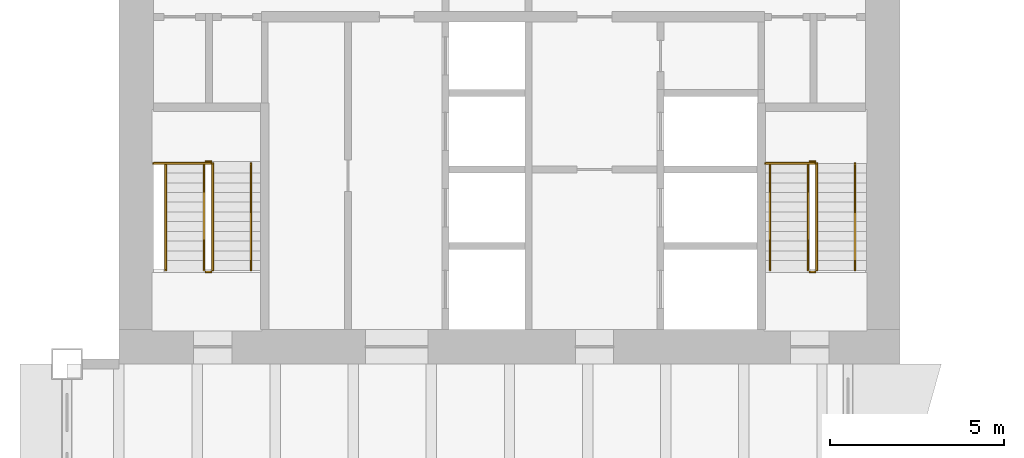
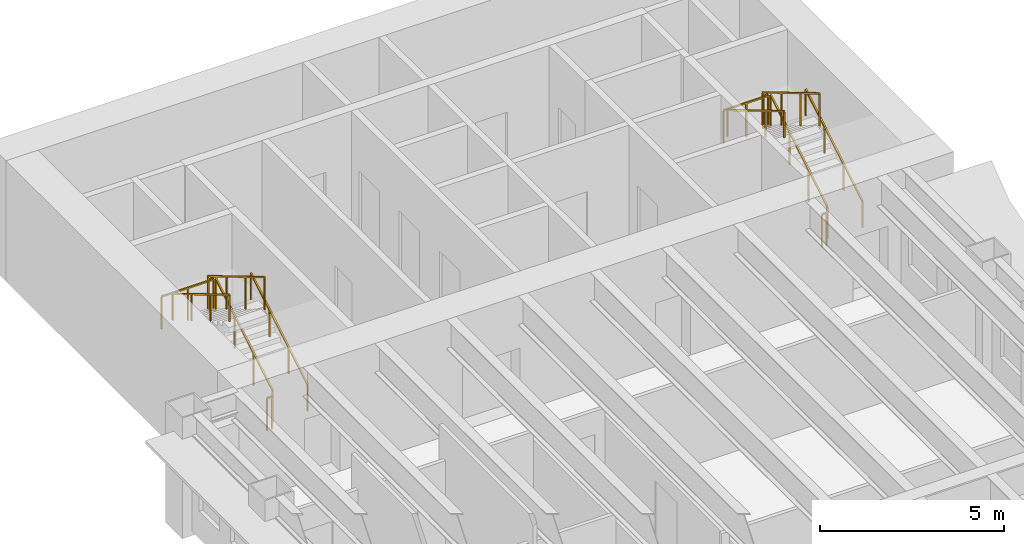
# One storey, part 16 of 16: 14 railings.
"""IFC4 building model written with IfcOpenShell, lengths in metres."""

from ifc_helpers import new_model, si_unit, direction, frame, origin, origin_2d, place, context, subcontext, project, spatial, rectangle, extrude, material, type_object, element, save


model = new_model("IFC4")

# Units and contexts
model_context = context("Model", 3, precision=1e-05, world=origin(), true_north=direction((0.0, 1.0)))
body_context = subcontext(model_context, "Body", "Model", "MODEL_VIEW")
ifc_project = project(units=[si_unit("LENGTHUNIT", "METRE"), si_unit("AREAUNIT", "SQUARE_METRE"), si_unit("VOLUMEUNIT", "CUBIC_METRE"), si_unit("PLANEANGLEUNIT", "RADIAN"), si_unit("MASSUNIT", "GRAM", prefix="KILO")], contexts=[model_context])

# Site, building, storey
site_placement = place(None, origin())
site = spatial("IfcSite", under=ifc_project, at=site_placement, CompositionType="ELEMENT")
building_placement = place(site_placement, origin())
building = spatial("IfcBuilding", under=site, at=building_placement, Name="Sennacour Bend Tower", CompositionType="ELEMENT")
storey_placement = place(building_placement, frame((0.0, 0.0, 171.0)))
storey = spatial("IfcBuildingStorey", under=building, at=storey_placement, Name="L39", CompositionType="ELEMENT", Elevation=171.0)

# Railings
ifc_material = material(Name="Stainless steel", Category="steel")
railing_type_1 = type_object("IfcRailingType", Name="RL-GUARD-1100", PredefinedType="GUARDRAIL", material=ifc_material)
railing_1_placement = place(storey_placement, frame((2.699951171875, 38.699951171875, 0.166748046875)))
element("IfcRailing", 1, at=railing_1_placement, inside=storey, type_object=railing_type_1, Name="L39 SB1 stair guard 1", PredefinedType="GUARDRAIL", context=body_context, shape_type="SweptSolid", body=[
    extrude(rectangle(XDim=0.048095703125, YDim=0.048095703125, at=origin_2d()), frame((0.0, 0.0, 1.076171875), z_axis=(0.0, 0.859308565015, 0.511457515432), x_axis=(-1.0, 0.0, 0.0)), (0.0, 0.0, 1.0), 3.58447265625),
    extrude(rectangle(XDim=0.0419921875, YDim=0.0419921875, at=origin_2d()), origin(), (0.0, 0.0, 1.0), 1.052001953125),
    extrude(rectangle(XDim=0.0419921875, YDim=0.0419921875, at=origin_2d()), frame((0.0, 1.026611328125, 0.611083984375)), (0.0, 0.0, 1.0), 1.052001953125),
    extrude(rectangle(XDim=0.0419921875, YDim=0.0419921875, at=origin_2d()), frame((0.0, 2.053466796875, 1.22216796875)), (0.0, 0.0, 1.0), 1.052001953125),
    extrude(rectangle(XDim=0.0419921875, YDim=0.0419921875, at=origin_2d()), frame((0.0, 3.080078125, 1.833251953125)), (0.0, 0.0, 1.0), 1.052001953125),
])
railing_2_placement = place(storey_placement, frame((2.64990234375, 41.830078125, 2.0)))
element("IfcRailing", 2, at=railing_2_placement, inside=storey, type_object=railing_type_1, Name="L39 SB1 stair guard 2", PredefinedType="GUARDRAIL", context=body_context, shape_type="SweptSolid", body=[
    extrude(rectangle(XDim=0.048095703125, YDim=0.048095703125, at=origin_2d()), frame((0.0, 0.0, 1.076171875), z_axis=(-1.0, 0.0, 0.0), x_axis=(0.0, -1.0, 0.0)), (0.0, 0.0, 1.0), 0.14990234375),
    extrude(rectangle(XDim=0.0419921875, YDim=0.0419921875, at=origin_2d()), origin(), (0.0, 0.0, 1.0), 1.052001953125),
    extrude(rectangle(XDim=0.0419921875, YDim=0.0419921875, at=origin_2d()), frame((-0.14990234375, 0.0, 0.0)), (0.0, 0.0, 1.0), 1.052001953125),
])
railing_3_placement = place(storey_placement, frame((2.449951171875, 41.780029296875, 2.166748046875)))
element("IfcRailing", 3, at=railing_3_placement, inside=storey, type_object=railing_type_1, Name="L39 SB1 stair guard 4", PredefinedType="GUARDRAIL", context=body_context, shape_type="SweptSolid", body=[
    extrude(rectangle(XDim=0.048095703125, YDim=0.048095703125, at=origin_2d()), frame((0.0, 0.0, 1.076171875), z_axis=(0.0, -0.859308565015, 0.511457515432), x_axis=(1.0, 0.0, 0.0)), (0.0, 0.0, 1.0), 3.58447265625),
    extrude(rectangle(XDim=0.0419921875, YDim=0.0419921875, at=origin_2d()), origin(), (0.0, 0.0, 1.0), 1.052001953125),
    extrude(rectangle(XDim=0.0419921875, YDim=0.0419921875, at=origin_2d()), frame((0.0, -1.026611328125, 0.611083984375)), (0.0, 0.0, 1.0), 1.052001953125),
    extrude(rectangle(XDim=0.0419921875, YDim=0.0419921875, at=origin_2d()), frame((0.0, -2.053466796875, 1.22216796875)), (0.0, 0.0, 1.0), 1.052001953125),
    extrude(rectangle(XDim=0.0419921875, YDim=0.0419921875, at=origin_2d()), frame((0.0, -3.080078125, 1.833251953125)), (0.0, 0.0, 1.0), 1.052001953125),
])
railing_4_placement = place(storey_placement, frame((2.64990234375, 38.64990234375, 0.0)))
element("IfcRailing", 4, at=railing_4_placement, inside=storey, type_object=railing_type_1, Name="L39 SB1 stair guard 5", PredefinedType="GUARDRAIL", context=body_context, shape_type="SweptSolid", body=[
    extrude(rectangle(XDim=0.048095703125, YDim=0.048095703125, at=origin_2d()), frame((0.0, 0.0, 1.076171875), z_axis=(-1.0, 0.0, 0.0), x_axis=(0.0, -1.0, 0.0)), (0.0, 0.0, 1.0), 0.14990234375),
    extrude(rectangle(XDim=0.0419921875, YDim=0.0419921875, at=origin_2d()), origin(), (0.0, 0.0, 1.0), 1.052001953125),
    extrude(rectangle(XDim=0.0419921875, YDim=0.0419921875, at=origin_2d()), frame((-0.14990234375, 0.0, 0.0)), (0.0, 0.0, 1.0), 1.052001953125),
])
railing_5_placement = place(storey_placement, frame((2.64990234375, 41.780029296875, 2.0)))
element("IfcRailing", 5, at=railing_5_placement, inside=storey, type_object=railing_type_1, Name="L39 SB1 landing edge guard 64", PredefinedType="GUARDRAIL", context=body_context, shape_type="SweptSolid", body=[
    extrude(rectangle(XDim=0.048095703125, YDim=0.048095703125, at=origin_2d()), frame((0.0, 0.0, 1.076171875), z_axis=(-1.0, 0.0, 0.0), x_axis=(0.0, -1.0, 0.0)), (0.0, 0.0, 1.0), 1.64990234375),
    extrude(rectangle(XDim=0.0419921875, YDim=0.0419921875, at=origin_2d()), origin(), (0.0, 0.0, 1.0), 1.052001953125),
    extrude(rectangle(XDim=0.0419921875, YDim=0.0419921875, at=origin_2d()), frame((-0.824951171875, 0.0, 0.0)), (0.0, 0.0, 1.0), 1.052001953125),
    extrude(rectangle(XDim=0.0419921875, YDim=0.0419921875, at=origin_2d()), frame((-1.64990234375, 0.0, 0.0)), (0.0, 0.0, 1.0), 1.052001953125),
])
railing_6_placement = place(storey_placement, frame((20.10009765625, 38.699951171875, 0.166748046875)))
element("IfcRailing", 6, at=railing_6_placement, inside=storey, type_object=railing_type_1, Name="L39 SB2 stair guard 1", PredefinedType="GUARDRAIL", context=body_context, shape_type="SweptSolid", body=[
    extrude(rectangle(XDim=0.048095703125, YDim=0.048095703125, at=origin_2d()), frame((0.0, 0.0, 1.076171875), z_axis=(0.0, 0.859308565015, 0.511457515432), x_axis=(-1.0, 0.0, 0.0)), (0.0, 0.0, 1.0), 3.58447265625),
    extrude(rectangle(XDim=0.0419921875, YDim=0.0419921875, at=origin_2d()), origin(), (0.0, 0.0, 1.0), 1.052001953125),
    extrude(rectangle(XDim=0.0419921875, YDim=0.0419921875, at=origin_2d()), frame((0.0, 1.026611328125, 0.611083984375)), (0.0, 0.0, 1.0), 1.052001953125),
    extrude(rectangle(XDim=0.0419921875, YDim=0.0419921875, at=origin_2d()), frame((0.0, 2.053466796875, 1.22216796875)), (0.0, 0.0, 1.0), 1.052001953125),
    extrude(rectangle(XDim=0.0419921875, YDim=0.0419921875, at=origin_2d()), frame((0.0, 3.080078125, 1.833251953125)), (0.0, 0.0, 1.0), 1.052001953125),
])
railing_7_placement = place(storey_placement, frame((20.050048828125, 41.830078125, 2.0)))
element("IfcRailing", 7, at=railing_7_placement, inside=storey, type_object=railing_type_1, Name="L39 SB2 stair guard 2", PredefinedType="GUARDRAIL", context=body_context, shape_type="SweptSolid", body=[
    extrude(rectangle(XDim=0.048095703125, YDim=0.048095703125, at=origin_2d()), frame((0.0, 0.0, 1.076171875), z_axis=(-1.0, 0.0, 0.0), x_axis=(0.0, -1.0, 0.0)), (0.0, 0.0, 1.0), 0.150146484375),
    extrude(rectangle(XDim=0.0419921875, YDim=0.0419921875, at=origin_2d()), origin(), (0.0, 0.0, 1.0), 1.052001953125),
    extrude(rectangle(XDim=0.0419921875, YDim=0.0419921875, at=origin_2d()), frame((-0.150146484375, 0.0, 0.0)), (0.0, 0.0, 1.0), 1.052001953125),
])
railing_8_placement = place(storey_placement, frame((19.85009765625, 41.780029296875, 2.166748046875)))
element("IfcRailing", 8, at=railing_8_placement, inside=storey, type_object=railing_type_1, Name="L39 SB2 stair guard 4", PredefinedType="GUARDRAIL", context=body_context, shape_type="SweptSolid", body=[
    extrude(rectangle(XDim=0.048095703125, YDim=0.048095703125, at=origin_2d()), frame((0.0, 0.0, 1.076171875), z_axis=(0.0, -0.859308565015, 0.511457515432), x_axis=(1.0, 0.0, 0.0)), (0.0, 0.0, 1.0), 3.58447265625),
    extrude(rectangle(XDim=0.0419921875, YDim=0.0419921875, at=origin_2d()), origin(), (0.0, 0.0, 1.0), 1.052001953125),
    extrude(rectangle(XDim=0.0419921875, YDim=0.0419921875, at=origin_2d()), frame((0.0, -1.026611328125, 0.611083984375)), (0.0, 0.0, 1.0), 1.052001953125),
    extrude(rectangle(XDim=0.0419921875, YDim=0.0419921875, at=origin_2d()), frame((0.0, -2.053466796875, 1.22216796875)), (0.0, 0.0, 1.0), 1.052001953125),
    extrude(rectangle(XDim=0.0419921875, YDim=0.0419921875, at=origin_2d()), frame((0.0, -3.080078125, 1.833251953125)), (0.0, 0.0, 1.0), 1.052001953125),
])
railing_9_placement = place(storey_placement, frame((20.050048828125, 38.64990234375, 0.0)))
element("IfcRailing", 9, at=railing_9_placement, inside=storey, type_object=railing_type_1, Name="L39 SB2 stair guard 5", PredefinedType="GUARDRAIL", context=body_context, shape_type="SweptSolid", body=[
    extrude(rectangle(XDim=0.048095703125, YDim=0.048095703125, at=origin_2d()), frame((0.0, 0.0, 1.076171875), z_axis=(-1.0, 0.0, 0.0), x_axis=(0.0, -1.0, 0.0)), (0.0, 0.0, 1.0), 0.150146484375),
    extrude(rectangle(XDim=0.0419921875, YDim=0.0419921875, at=origin_2d()), origin(), (0.0, 0.0, 1.0), 1.052001953125),
    extrude(rectangle(XDim=0.0419921875, YDim=0.0419921875, at=origin_2d()), frame((-0.150146484375, 0.0, 0.0)), (0.0, 0.0, 1.0), 1.052001953125),
])
railing_10_placement = place(storey_placement, frame((20.050048828125, 41.780029296875, 2.0)))
element("IfcRailing", 10, at=railing_10_placement, inside=storey, type_object=railing_type_1, Name="L39 SB2 landing edge guard 54", PredefinedType="GUARDRAIL", context=body_context, shape_type="SweptSolid", body=[
    extrude(rectangle(XDim=0.048095703125, YDim=0.048095703125, at=origin_2d()), frame((0.0, 0.0, 1.076171875), z_axis=(-1.0, 0.0, 0.0), x_axis=(0.0, -1.0, 0.0)), (0.0, 0.0, 1.0), 1.425048828125),
    extrude(rectangle(XDim=0.0419921875, YDim=0.0419921875, at=origin_2d()), origin(), (0.0, 0.0, 1.0), 1.052001953125),
    extrude(rectangle(XDim=0.0419921875, YDim=0.0419921875, at=origin_2d()), frame((-0.71240234375, 0.0, 0.0)), (0.0, 0.0, 1.0), 1.052001953125),
    extrude(rectangle(XDim=0.0419921875, YDim=0.0419921875, at=origin_2d()), frame((-1.425048828125, 0.0, 0.0)), (0.0, 0.0, 1.0), 1.052001953125),
])
railing_type_2 = type_object("IfcRailingType", Name="RL-HANDRAIL-900", PredefinedType="HANDRAIL", material=ifc_material)
railing_11_placement = place(storey_placement, frame((3.800048828125, 38.699951171875, 0.166748046875)))
element("IfcRailing", 11, at=railing_11_placement, inside=storey, type_object=railing_type_2, Name="L39 SB1 stair handrail 1", PredefinedType="HANDRAIL", context=body_context, shape_type="SweptSolid", body=[
    extrude(rectangle(XDim=0.048095703125, YDim=0.048095703125, at=origin_2d()), frame((0.0, 0.0, 0.8759765625), z_axis=(0.0, 0.859308565015, 0.511457515432), x_axis=(-1.0, 0.0, 0.0)), (0.0, 0.0, 1.0), 3.58447265625),
    extrude(rectangle(XDim=0.0419921875, YDim=0.0419921875, at=origin_2d()), origin(), (0.0, 0.0, 1.0), 0.851806640625),
    extrude(rectangle(XDim=0.0419921875, YDim=0.0419921875, at=origin_2d()), frame((0.0, 1.026611328125, 0.611083984375)), (0.0, 0.0, 1.0), 0.851806640625),
    extrude(rectangle(XDim=0.0419921875, YDim=0.0419921875, at=origin_2d()), frame((0.0, 2.053466796875, 1.22216796875)), (0.0, 0.0, 1.0), 0.851806640625),
    extrude(rectangle(XDim=0.0419921875, YDim=0.0419921875, at=origin_2d()), frame((0.0, 3.080078125, 1.833251953125)), (0.0, 0.0, 1.0), 0.851806640625),
])
railing_12_placement = place(storey_placement, frame((1.35009765625, 41.780029296875, 2.166748046875)))
element("IfcRailing", 12, at=railing_12_placement, inside=storey, type_object=railing_type_2, Name="L39 SB1 stair handrail 2", PredefinedType="HANDRAIL", context=body_context, shape_type="SweptSolid", body=[
    extrude(rectangle(XDim=0.048095703125, YDim=0.048095703125, at=origin_2d()), frame((0.0, 0.0, 0.8759765625), z_axis=(0.0, -0.859308565015, 0.511457515432), x_axis=(1.0, 0.0, 0.0)), (0.0, 0.0, 1.0), 3.58447265625),
    extrude(rectangle(XDim=0.0419921875, YDim=0.0419921875, at=origin_2d()), origin(), (0.0, 0.0, 1.0), 0.851806640625),
    extrude(rectangle(XDim=0.0419921875, YDim=0.0419921875, at=origin_2d()), frame((0.0, -1.026611328125, 0.611083984375)), (0.0, 0.0, 1.0), 0.851806640625),
    extrude(rectangle(XDim=0.0419921875, YDim=0.0419921875, at=origin_2d()), frame((0.0, -2.053466796875, 1.22216796875)), (0.0, 0.0, 1.0), 0.851806640625),
    extrude(rectangle(XDim=0.0419921875, YDim=0.0419921875, at=origin_2d()), frame((0.0, -3.080078125, 1.833251953125)), (0.0, 0.0, 1.0), 0.851806640625),
])
railing_13_placement = place(storey_placement, frame((21.199951171875, 38.699951171875, 0.166748046875)))
element("IfcRailing", 13, at=railing_13_placement, inside=storey, type_object=railing_type_2, Name="L39 SB2 stair handrail 1", PredefinedType="HANDRAIL", context=body_context, shape_type="SweptSolid", body=[
    extrude(rectangle(XDim=0.048095703125, YDim=0.048095703125, at=origin_2d()), frame((0.0, 0.0, 0.8759765625), z_axis=(0.0, 0.859308565015, 0.511457515432), x_axis=(-1.0, 0.0, 0.0)), (0.0, 0.0, 1.0), 3.58447265625),
    extrude(rectangle(XDim=0.0419921875, YDim=0.0419921875, at=origin_2d()), origin(), (0.0, 0.0, 1.0), 0.851806640625),
    extrude(rectangle(XDim=0.0419921875, YDim=0.0419921875, at=origin_2d()), frame((0.0, 1.026611328125, 0.611083984375)), (0.0, 0.0, 1.0), 0.851806640625),
    extrude(rectangle(XDim=0.0419921875, YDim=0.0419921875, at=origin_2d()), frame((0.0, 2.053466796875, 1.22216796875)), (0.0, 0.0, 1.0), 0.851806640625),
    extrude(rectangle(XDim=0.0419921875, YDim=0.0419921875, at=origin_2d()), frame((0.0, 3.080078125, 1.833251953125)), (0.0, 0.0, 1.0), 0.851806640625),
])
railing_14_placement = place(storey_placement, frame((18.75, 41.780029296875, 2.166748046875)))
element("IfcRailing", 14, at=railing_14_placement, inside=storey, type_object=railing_type_2, Name="L39 SB2 stair handrail 2", PredefinedType="HANDRAIL", context=body_context, shape_type="SweptSolid", body=[
    extrude(rectangle(XDim=0.048095703125, YDim=0.048095703125, at=origin_2d()), frame((0.0, 0.0, 0.8759765625), z_axis=(0.0, -0.859308565015, 0.511457515432), x_axis=(1.0, 0.0, 0.0)), (0.0, 0.0, 1.0), 3.58447265625),
    extrude(rectangle(XDim=0.0419921875, YDim=0.0419921875, at=origin_2d()), origin(), (0.0, 0.0, 1.0), 0.851806640625),
    extrude(rectangle(XDim=0.0419921875, YDim=0.0419921875, at=origin_2d()), frame((0.0, -1.026611328125, 0.611083984375)), (0.0, 0.0, 1.0), 0.851806640625),
    extrude(rectangle(XDim=0.0419921875, YDim=0.0419921875, at=origin_2d()), frame((0.0, -2.053466796875, 1.22216796875)), (0.0, 0.0, 1.0), 0.851806640625),
    extrude(rectangle(XDim=0.0419921875, YDim=0.0419921875, at=origin_2d()), frame((0.0, -3.080078125, 1.833251953125)), (0.0, 0.0, 1.0), 0.851806640625),
])

save(model, "model.ifc")
